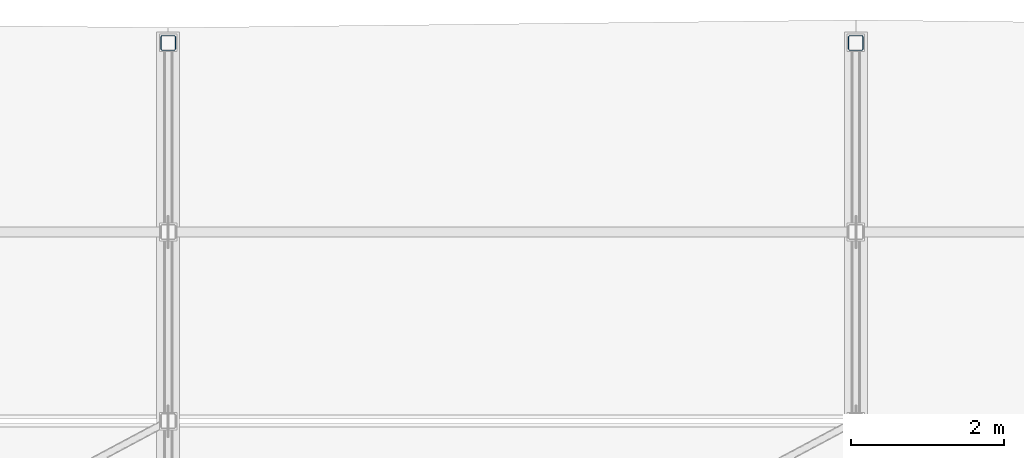
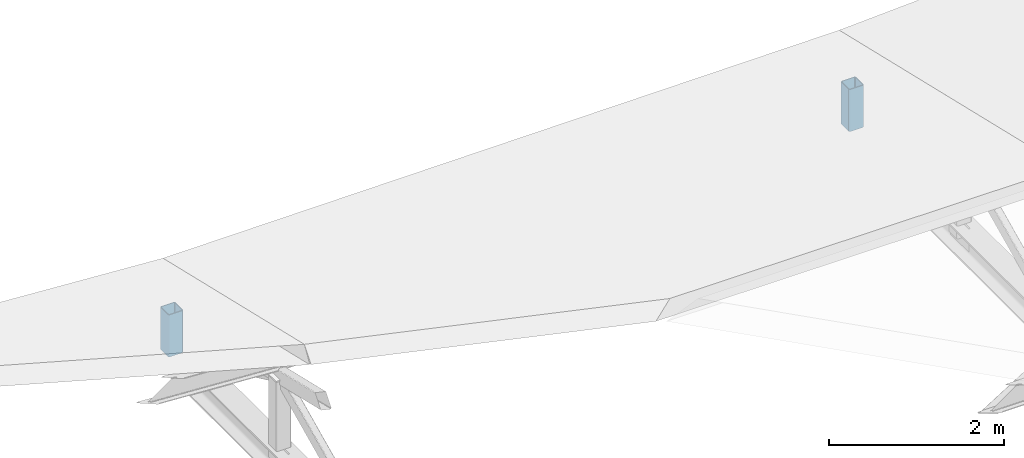
# One storey, part 29 of 55: 2 members.
"""IFC4 building model written with IfcOpenShell, lengths in metres."""

from ifc_helpers import new_model, si_unit, direction, frame, origin, origin_2d, place, context, subcontext, project, spatial, hollow_rectangle, extrude, material, material_profile, profile_set, type_object, element, save


model = new_model("IFC4")

# Units and contexts
model_context = context("Model", 3, precision=1e-05, world=origin(), true_north=direction((0.0, 1.0)))
body_context = subcontext(model_context, "Body", "Model", "MODEL_VIEW")
ifc_project = project(units=[si_unit("LENGTHUNIT", "METRE"), si_unit("AREAUNIT", "SQUARE_METRE"), si_unit("VOLUMEUNIT", "CUBIC_METRE"), si_unit("PLANEANGLEUNIT", "RADIAN"), si_unit("MASSUNIT", "GRAM", prefix="KILO")], contexts=[model_context])

# Site, building, storey
site_placement = place(None, origin())
site = spatial("IfcSite", under=ifc_project, at=site_placement, CompositionType="ELEMENT")
building_placement = place(site_placement, origin())
building = spatial("IfcBuilding", under=site, at=building_placement, Name="Bozkorgan Art Gallery", CompositionType="ELEMENT")
storey_placement = place(building_placement, frame((0.0, 0.0, 15.0)))
storey = spatial("IfcBuildingStorey", under=building, at=storey_placement, Name="L03", CompositionType="ELEMENT", Elevation=15.0)

# Members
ifc_material = material(Name="Steel S355J2", Category="steel")
ifc_material_profile = material_profile(ifc_material, hollow_rectangle(XDim=0.199951171875, YDim=0.199951171875, WallThickness=0.010009765625, InnerFilletRadius=0.014892578125, OuterFilletRadius=0.02490234375, at=origin_2d()), Name="SHS 200x200x10")
ifc_profile_set = profile_set([ifc_material_profile], Name="Steel S355J2")
member_type = type_object("IfcMemberType", Name="MEMBER-TP-32", PredefinedType="POST", material=ifc_profile_set)
for number, where, z_axis, x_axis, name in (
    (1, (146.0, 112.550048828125, 0.179931640625), (0.0, 0.0, 1.0), (1.0, 0.0, 0.0), "ROOF-V5-STEP3 roof truss 2 post 4"),
    (2, (155.0, 112.550048828125, 0.179931640625), (0.0, 0.0, 1.0), (1.0, 0.0, 0.0), "ROOF-V5-STEP3 roof truss 3 post 4"),
):
    element("IfcMember", number, at=place(storey_placement, frame(where, z_axis=z_axis, x_axis=x_axis)), inside=storey, type_object=member_type, Name=name, PredefinedType="POST", context=body_context, shape_type="SweptSolid", body=[
        extrude(hollow_rectangle(XDim=0.199951171875, YDim=0.199951171875, WallThickness=0.010009765625, InnerFilletRadius=0.014892578125, OuterFilletRadius=0.02490234375, at=origin_2d()), origin(), (0.0, 0.0, 1.0), 0.5888671875),
    ])

save(model, "model.ifc")
